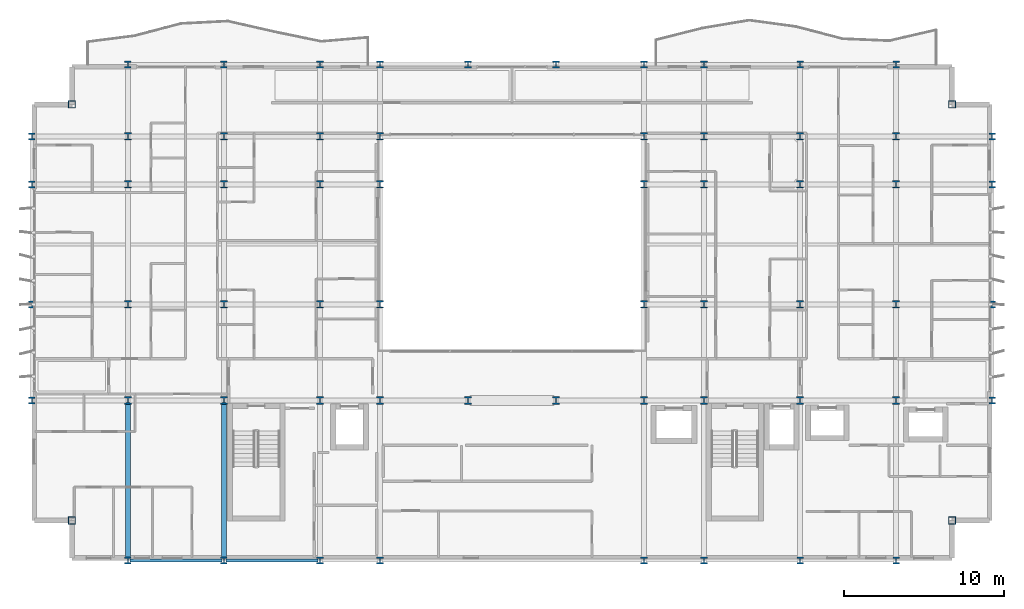
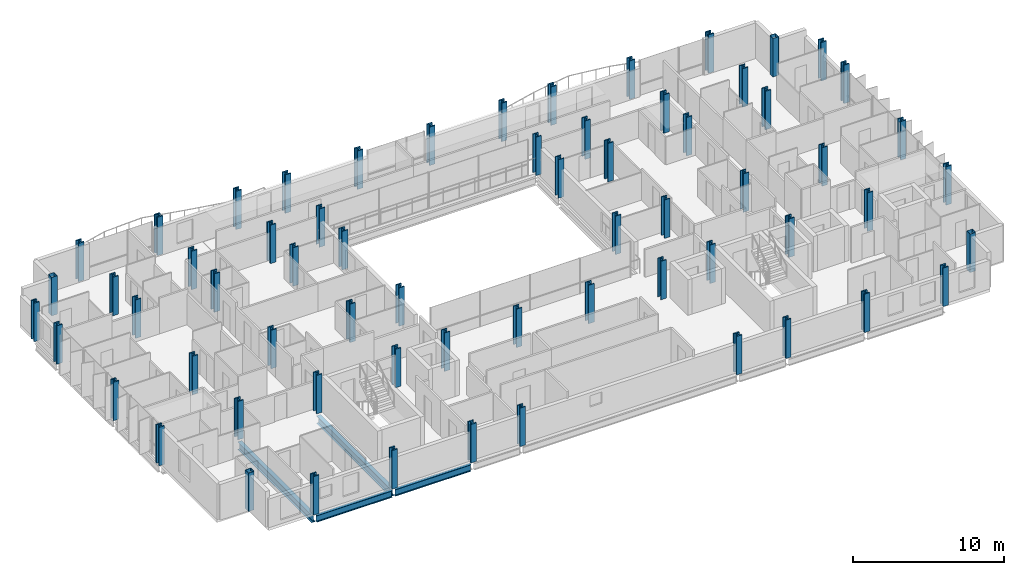
# One storey, part 1 of 39: 64 columns, 4 beams.
"""IFC4 building model written with IfcOpenShell, lengths in metres."""

import ifcopenshell
import ifcopenshell.guid

model = None  # the IFC model being written
_history = None  # IfcOwnerHistory: only IFC2X3 demands one
_inside = {}  # id of a spatial element -> (the spatial element, [elements in it])
_under = {}  # id of a project, library or spatial element -> (it, [spatial elements below it])
_declared = {}  # id of a project -> (the project, [libraries it declares])
_typed = {}  # id of a type object -> (the type object, [elements of that type])
_made_of = {}  # id of a material, layer set ... -> (it, [elements and type objects made of it])


def new_model(schema):
    """Start an empty IFC model of exactly this schema.

    Asked for "IFC4X3", IfcOpenShell would pick the latest addendum, in which some entities
    have other attributes; the version numbers below select the first issue.
    IFC2X3 requires an IfcOwnerHistory on every rooted entity: one is made here for all.
    """
    global model, _history
    if schema == "IFC4X3":
        model = ifcopenshell.file(schema_version=(4, 3, 0, 0))
    else:
        model = ifcopenshell.file(schema=schema)
    _inside.clear()
    _under.clear()
    _declared.clear()
    _typed.clear()
    _made_of.clear()
    _history = None
    if model.schema == "IFC2X3":
        org = make("IfcOrganization", Name="unknown")
        user = make(
            "IfcPersonAndOrganization",
            ThePerson=make("IfcPerson", FamilyName="unknown"),
            TheOrganization=org,
        )
        app = make(
            "IfcApplication",
            ApplicationDeveloper=org,
            Version="unknown",
            ApplicationFullName="unknown",
            ApplicationIdentifier="unknown",
        )
        _history = make(
            "IfcOwnerHistory",
            OwningUser=user,
            OwningApplication=app,
            ChangeAction="ADDED",
            CreationDate=0,
        )
    return model


def make(cls, **values):
    """One entity of the class cls with the attributes given. An attribute that is None is left unset."""
    return model.create_entity(
        cls, **{name: value for name, value in values.items() if value is not None}
    )


def rooted(cls, **values):
    """An entity with a GlobalId (a new one), such as an element, a storey or a relation."""
    return make(cls, GlobalId=ifcopenshell.guid.new(), OwnerHistory=_history, **values)


def si_unit(unit_type, name, prefix=None):
    """IfcSIUnit, for example si_unit("LENGTHUNIT", "METRE", prefix="MILLI")."""
    return make("IfcSIUnit", UnitType=unit_type, Prefix=prefix, Name=name)


def assignment(units):
    """IfcUnitAssignment: the units of a project."""
    return None if units is None else make("IfcUnitAssignment", Units=units)


def point(xyz):
    """IfcCartesianPoint."""
    return None if xyz is None else make("IfcCartesianPoint", Coordinates=xyz)


def direction(xyz):
    """IfcDirection."""
    return None if xyz is None else make("IfcDirection", DirectionRatios=xyz)


def frame(location, z_axis=None, x_axis=None):
    """IfcAxis2Placement3D, a coordinate frame: its origin and axes. An axis left out is left unset."""
    return make(
        "IfcAxis2Placement3D",
        Location=point(location),
        Axis=direction(z_axis),
        RefDirection=direction(x_axis),
    )


def frame_2d(location, x_axis=None):
    """IfcAxis2Placement2D, a coordinate frame in the plane: its origin and x axis."""
    return make(
        "IfcAxis2Placement2D", Location=point(location), RefDirection=direction(x_axis)
    )


def origin():
    """The frame at (0, 0, 0) with its axes left unset."""
    return frame((0.0, 0.0, 0.0))


def origin_2d():
    """The frame at (0, 0) in the plane with its x axis left unset."""
    return frame_2d((0.0, 0.0))


def place(relative_to, where):
    """IfcLocalPlacement: puts the frame where relative to a parent placement (None: the world)."""
    return make(
        "IfcLocalPlacement", PlacementRelTo=relative_to, RelativePlacement=where
    )


def context(
    kind, dimensions, precision=None, world=None, true_north=None, identifier=None
):
    """IfcGeometricRepresentationContext, for example the 3D "Model" context."""
    return make(
        "IfcGeometricRepresentationContext",
        ContextIdentifier=identifier,
        ContextType=kind,
        CoordinateSpaceDimension=dimensions,
        Precision=precision,
        WorldCoordinateSystem=world,
        TrueNorth=true_north,
    )


def subcontext(parent, identifier, kind, view, scale=None):
    """IfcGeometricRepresentationSubContext, for example "Body" below "Model"."""
    return make(
        "IfcGeometricRepresentationSubContext",
        ContextIdentifier=identifier,
        ContextType=kind,
        ParentContext=parent,
        TargetScale=scale,
        TargetView=view,
    )


def project(units=None, contexts=None):
    """IfcProject with its units and contexts."""
    return rooted(
        "IfcProject",
        Name="project",
        RepresentationContexts=contexts,
        UnitsInContext=assignment(units),
    )


def spatial(cls, under=None, at=None, **own):
    """A site, building, storey or space (cls), placed at a placement, below another one or the project."""
    s = rooted(cls, ObjectPlacement=at, **own)
    if under is not None:
        _under.setdefault(under.id(), (under, []))[1].append(s)
    return s


def profile(cls, at=None, kind="AREA", **sizes):
    """A parametric profile (cls). Its sizes go by their IFC names, for example OverallWidth=200.0."""
    return make(cls, ProfileType=kind, Position=at, **sizes)


def hollow_rectangle(**sizes):
    """IfcRectangleHollowProfileDef."""
    return profile("IfcRectangleHollowProfileDef", **sizes)


def i_section(**sizes):
    """IfcIShapeProfileDef."""
    return profile("IfcIShapeProfileDef", **sizes)


def extrude(swept, where, along, depth):
    """IfcExtrudedAreaSolid: the profile swept, set in the frame where, extruded along a direction by depth."""
    return make(
        "IfcExtrudedAreaSolid",
        SweptArea=swept,
        Position=where,
        ExtrudedDirection=direction(along),
        Depth=depth,
    )


def shape(context_of_items, identifier, shape_type, items):
    """IfcShapeRepresentation: the items that make up one representation, for example the "Body"."""
    return make(
        "IfcShapeRepresentation",
        ContextOfItems=context_of_items,
        RepresentationIdentifier=identifier,
        RepresentationType=shape_type,
        Items=items,
    )


def material(Name=None, Category=None):
    """IfcMaterial."""
    return make("IfcMaterial", Name=Name, Category=Category)


def material_profile(
    of_material, cross_section, Name=None, Category=None, Priority=None
):
    """IfcMaterialProfile: a cross section and its material."""
    return make(
        "IfcMaterialProfile",
        Name=Name,
        Material=of_material,
        Profile=cross_section,
        Priority=Priority,
        Category=Category,
    )


def profile_set(profiles, Name=None, composite=None):
    """IfcMaterialProfileSet."""
    return make(
        "IfcMaterialProfileSet",
        Name=Name,
        MaterialProfiles=profiles,
        CompositeProfile=composite,
    )


def made_of(thing, what):
    """Note that an element or type object is made of a material, layer set ...; save() writes the relation."""
    if what is not None:
        _made_of.setdefault(what.id(), (what, []))[1].append(thing)
    return thing


def type_object(cls, material=None, **own):
    """A type object (cls), such as IfcWallType, which elements share."""
    return made_of(rooted(cls, **own), material)


def element(
    cls,
    number,
    at=None,
    inside=None,
    cuts=None,
    type_object=None,
    material=None,
    context=None,
    identifier="Body",
    shape_type=None,
    held_by="IfcProductDefinitionShape",
    body=None,
    shapes=None,
    **own,
):
    """One element of the class cls, such as IfcWall. Its Tag is "e" and its number.

    at: its placement. inside: the storey or other place that contains it. cuts: it is an
    opening in that element (IfcRelVoidsElement). A single representation is given by context,
    identifier, shape_type and body (its items); several are given by shapes. held_by: the class
    of the entity that holds the representations. save() writes the other relations.
    """
    e = rooted(cls, Tag="e%d" % number, ObjectPlacement=at, **own)
    if body is not None:
        shapes = [shape(context, identifier, shape_type, body)]
    if shapes is not None:
        e.Representation = make(held_by, Representations=shapes)
    if inside is not None:
        _inside.setdefault(inside.id(), (inside, []))[1].append(e)
    if cuts is not None:
        rooted(
            "IfcRelVoidsElement", RelatingBuildingElement=cuts, RelatedOpeningElement=e
        )
    if type_object is not None:
        _typed.setdefault(type_object.id(), (type_object, []))[1].append(e)
    return made_of(e, material)


def aggregate(whole, parts):
    """IfcRelAggregates: a whole, such as a stair, and the parts it consists of."""
    return rooted("IfcRelAggregates", RelatingObject=whole, RelatedObjects=parts)


def save(model, path):
    """Write the relations noted so far, then the file.

    IfcRelAggregates (storeys below a building ...), IfcRelContainedInSpatialStructure (elements
    in a storey), IfcRelDefinesByType, IfcRelAssociatesMaterial and IfcRelDeclares: one each for
    every whole, place, type object, material and project.
    """
    for whole, parts in _under.values():
        aggregate(whole, parts)
    for where, things in _inside.values():
        rooted(
            "IfcRelContainedInSpatialStructure",
            RelatedElements=things,
            RelatingStructure=where,
        )
    for kind, things in _typed.values():
        rooted("IfcRelDefinesByType", RelatedObjects=things, RelatingType=kind)
    for what, things in _made_of.values():
        rooted("IfcRelAssociatesMaterial", RelatedObjects=things, RelatingMaterial=what)
    for by, libraries in _declared.values():
        rooted("IfcRelDeclares", RelatingContext=by, RelatedDefinitions=libraries)
    model.write(path)


model = new_model("IFC4")

# Units and contexts
model_context = context("Model", 3, precision=1e-05, world=origin(), true_north=direction((0.0, 1.0)))
body_context = subcontext(model_context, "Body", "Model", "MODEL_VIEW")
ifc_project = project(units=[si_unit("LENGTHUNIT", "METRE"), si_unit("AREAUNIT", "SQUARE_METRE"), si_unit("VOLUMEUNIT", "CUBIC_METRE"), si_unit("PLANEANGLEUNIT", "RADIAN"), si_unit("MASSUNIT", "GRAM", prefix="KILO")], contexts=[model_context])

# Site, building, storey
site_placement = place(None, origin())
site = spatial("IfcSite", under=ifc_project, at=site_placement, CompositionType="ELEMENT")
building_placement = place(site_placement, origin())
building = spatial("IfcBuilding", under=site, at=building_placement, Name="Brevholm Reach", CompositionType="ELEMENT")
storey_placement = place(building_placement, frame((0.0, 0.0, 40.39990234375)))
storey = spatial("IfcBuildingStorey", under=building, at=storey_placement, Name="L10", CompositionType="ELEMENT", Elevation=40.39990234375)

# Columns
ifc_material_1 = material(Name="Structural Steel S460ML", Category="steel")
ifc_material_profile_1 = material_profile(ifc_material_1, i_section(OverallWidth=0.4140625, OverallDepth=0.444091796875, WebThickness=0.060546875, FlangeThickness=0.096923828125, FilletRadius=0.014892578125, at=origin_2d()), Name="HD 400x818")
ifc_profile_set_1 = profile_set([ifc_material_profile_1], Name="Structural Steel S460ML")
column_type_1 = type_object("IfcColumnType", Name="COL-HD2", PredefinedType="COLUMN", material=ifc_profile_set_1)
for number, where, z_axis, x_axis, name in (
    (1, (0.0, 10.0, 0.0), (0.0, 0.0, 1.0), (1.0, 0.0, 0.0), "L10 Column 01"),
    (2, (0.0, 16.0, 0.0), (0.0, 0.0, 1.0), (1.0, 0.0, 0.0), "L10 Column 02"),
    (3, (0.0, 23.5, 0.0), (0.0, 0.0, 1.0), (1.0, 0.0, 0.0), "L10 Column 03"),
    (4, (0.0, 26.5, 0.0), (0.0, 0.0, 1.0), (1.0, 0.0, 0.0), "L10 Column 04"),
    (5, (6.0, 0.0, 0.0), (0.0, 0.0, 1.0), (1.0, 0.0, 0.0), "L10 Column 07"),
    (6, (6.0, 31.0, 0.0), (0.0, 0.0, 1.0), (1.0, 0.0, 0.0), "L10 Column 12"),
    (7, (12.0, 0.0, 0.0), (0.0, 0.0, 1.0), (1.0, 0.0, 0.0), "L10 Column 13"),
    (8, (12.0, 31.0, 0.0), (0.0, 0.0, 1.0), (1.0, 0.0, 0.0), "L10 Column 18"),
    (9, (18.0, 0.0, 0.0), (0.0, 0.0, 1.0), (1.0, 0.0, 0.0), "L10 Column 19"),
    (10, (18.0, 31.0, 0.0), (0.0, 0.0, 1.0), (1.0, 0.0, 0.0), "L10 Column 24"),
    (11, (21.75, 0.0, 0.0), (0.0, 0.0, 1.0), (1.0, 0.0, 0.0), "L10 Column 25"),
    (12, (21.75, 31.0, 0.0), (0.0, 0.0, 1.0), (1.0, 0.0, 0.0), "L10 Column 30"),
    (13, (27.25, 31.0, 0.0), (0.0, 0.0, 1.0), (1.0, 0.0, 0.0), "L10 Column 32"),
    (14, (32.75, 31.0, 0.0), (0.0, 0.0, 1.0), (1.0, 0.0, 0.0), "L10 Column 34"),
    (15, (38.25, 0.0, 0.0), (0.0, 0.0, 1.0), (1.0, 0.0, 0.0), "L10 Column 35"),
    (16, (38.25, 31.0, 0.0), (0.0, 0.0, 1.0), (1.0, 0.0, 0.0), "L10 Column 40"),
    (17, (42.0, 0.0, 0.0), (0.0, 0.0, 1.0), (1.0, 0.0, 0.0), "L10 Column 41"),
    (18, (42.0, 31.0, 0.0), (0.0, 0.0, 1.0), (1.0, 0.0, 0.0), "L10 Column 46"),
    (19, (48.0, 0.0, 0.0), (0.0, 0.0, 1.0), (1.0, 0.0, 0.0), "L10 Column 47"),
    (20, (48.0, 31.0, 0.0), (0.0, 0.0, 1.0), (1.0, 0.0, 0.0), "L10 Column 52"),
    (21, (54.0, 0.0, 0.0), (0.0, 0.0, 1.0), (1.0, 0.0, 0.0), "L10 Column 53"),
    (22, (54.0, 31.0, 0.0), (0.0, 0.0, 1.0), (1.0, 0.0, 0.0), "L10 Column 58"),
    (23, (60.0, 10.0, 0.0), (0.0, 0.0, 1.0), (1.0, 0.0, 0.0), "L10 Column 61"),
    (24, (60.0, 16.0, 0.0), (0.0, 0.0, 1.0), (1.0, 0.0, 0.0), "L10 Column 62"),
    (25, (60.0, 23.5, 0.0), (0.0, 0.0, 1.0), (1.0, 0.0, 0.0), "L10 Column 63"),
    (26, (60.0, 26.5, 0.0), (0.0, 0.0, 1.0), (1.0, 0.0, 0.0), "L10 Column 64"),
):
    element("IfcColumn", number, at=place(storey_placement, frame(where, z_axis=z_axis, x_axis=x_axis)), inside=storey, type_object=column_type_1, Name=name, PredefinedType="COLUMN", context=body_context, shape_type="SweptSolid", body=[
        extrude(i_section(OverallWidth=0.4140625, OverallDepth=0.444091796875, WebThickness=0.060546875, FlangeThickness=0.096923828125, FilletRadius=0.014892578125, at=origin_2d()), origin(), (0.0, 0.0, 1.0), 3.10009765625),
    ])
ifc_material_2 = material(Name="Structural Steel S460NH", Category="steel")
ifc_material_profile_2 = material_profile(ifc_material_2, hollow_rectangle(XDim=0.449951171875, YDim=0.449951171875, WallThickness=0.02490234375, InnerFilletRadius=0.011962890625, OuterFilletRadius=0.02392578125, at=origin_2d()), Name="SHS 450x450x25")
ifc_profile_set_2 = profile_set([ifc_material_profile_2], Name="Structural Steel S460NH")
column_type_2 = type_object("IfcColumnType", Name="COL-SHS1", PredefinedType="COLUMN", material=ifc_profile_set_2)
for number, where, z_axis, x_axis, name in (
    (27, (2.5, 2.5, 0.0), (0.0, 0.0, 1.0), (1.0, 0.0, 0.0), "L10 Column 05"),
    (28, (2.5, 28.5, 0.0), (0.0, 0.0, 1.0), (1.0, 0.0, 0.0), "L10 Column 06"),
    (29, (57.5, 2.5, 0.0), (0.0, 0.0, 1.0), (1.0, 0.0, 0.0), "L10 Column 59"),
    (30, (57.5, 28.5, 0.0), (0.0, 0.0, 1.0), (1.0, 0.0, 0.0), "L10 Column 60"),
):
    element("IfcColumn", number, at=place(storey_placement, frame(where, z_axis=z_axis, x_axis=x_axis)), inside=storey, type_object=column_type_2, Name=name, PredefinedType="COLUMN", context=body_context, shape_type="SweptSolid", body=[
        extrude(hollow_rectangle(XDim=0.449951171875, YDim=0.449951171875, WallThickness=0.02490234375, InnerFilletRadius=0.011962890625, OuterFilletRadius=0.02392578125, at=origin_2d()), origin(), (0.0, 0.0, 1.0), 3.10009765625),
    ])
ifc_material_3 = material(Name="Structural Steel S460ML", Category="steel")
ifc_material_profile_3 = material_profile(ifc_material_3, i_section(OverallWidth=0.424072265625, OverallDepth=0.474609375, WebThickness=0.047607421875, FlangeThickness=0.076904296875, FilletRadius=0.01513671875, at=origin_2d()), Name="UKC 356x406x634")
ifc_profile_set_3 = profile_set([ifc_material_profile_3], Name="Structural Steel S460ML")
column_type_3 = type_object("IfcColumnType", Name="COL-UC1", PredefinedType="COLUMN", material=ifc_profile_set_3)
for number, where, z_axis, x_axis, name in (
    (31, (6.0, 10.0, 0.0), (0.0, 0.0, 1.0), (1.0, 0.0, 0.0), "L10 Column 08"),
    (32, (6.0, 16.0, 0.0), (0.0, 0.0, 1.0), (1.0, 0.0, 0.0), "L10 Column 09"),
    (33, (6.0, 23.5, 0.0), (0.0, 0.0, 1.0), (1.0, 0.0, 0.0), "L10 Column 10"),
    (34, (6.0, 26.5, 0.0), (0.0, 0.0, 1.0), (1.0, 0.0, 0.0), "L10 Column 11"),
    (35, (12.0, 10.0, 0.0), (0.0, 0.0, 1.0), (1.0, 0.0, 0.0), "L10 Column 14"),
    (36, (12.0, 16.0, 0.0), (0.0, 0.0, 1.0), (1.0, 0.0, 0.0), "L10 Column 15"),
    (37, (12.0, 23.5, 0.0), (0.0, 0.0, 1.0), (1.0, 0.0, 0.0), "L10 Column 16"),
    (38, (12.0, 26.5, 0.0), (0.0, 0.0, 1.0), (1.0, 0.0, 0.0), "L10 Column 17"),
    (39, (18.0, 10.0, 0.0), (0.0, 0.0, 1.0), (1.0, 0.0, 0.0), "L10 Column 20"),
    (40, (18.0, 16.0, 0.0), (0.0, 0.0, 1.0), (1.0, 0.0, 0.0), "L10 Column 21"),
    (41, (18.0, 23.5, 0.0), (0.0, 0.0, 1.0), (1.0, 0.0, 0.0), "L10 Column 22"),
    (42, (18.0, 26.5, 0.0), (0.0, 0.0, 1.0), (1.0, 0.0, 0.0), "L10 Column 23"),
    (43, (21.75, 10.0, 0.0), (0.0, 0.0, 1.0), (1.0, 0.0, 0.0), "L10 Column 26"),
    (44, (21.75, 16.0, 0.0), (0.0, 0.0, 1.0), (1.0, 0.0, 0.0), "L10 Column 27"),
    (45, (21.75, 23.5, 0.0), (0.0, 0.0, 1.0), (1.0, 0.0, 0.0), "L10 Column 28"),
    (46, (21.75, 26.5, 0.0), (0.0, 0.0, 1.0), (1.0, 0.0, 0.0), "L10 Column 29"),
    (47, (27.25, 10.0, 0.0), (0.0, 0.0, 1.0), (1.0, 0.0, 0.0), "L10 Column 31"),
    (48, (32.75, 10.0, 0.0), (0.0, 0.0, 1.0), (1.0, 0.0, 0.0), "L10 Column 33"),
    (49, (38.25, 10.0, 0.0), (0.0, 0.0, 1.0), (1.0, 0.0, 0.0), "L10 Column 36"),
    (50, (38.25, 16.0, 0.0), (0.0, 0.0, 1.0), (1.0, 0.0, 0.0), "L10 Column 37"),
    (51, (38.25, 23.5, 0.0), (0.0, 0.0, 1.0), (1.0, 0.0, 0.0), "L10 Column 38"),
    (52, (38.25, 26.5, 0.0), (0.0, 0.0, 1.0), (1.0, 0.0, 0.0), "L10 Column 39"),
    (53, (42.0, 10.0, 0.0), (0.0, 0.0, 1.0), (1.0, 0.0, 0.0), "L10 Column 42"),
    (54, (42.0, 16.0, 0.0), (0.0, 0.0, 1.0), (1.0, 0.0, 0.0), "L10 Column 43"),
    (55, (42.0, 23.5, 0.0), (0.0, 0.0, 1.0), (1.0, 0.0, 0.0), "L10 Column 44"),
    (56, (42.0, 26.5, 0.0), (0.0, 0.0, 1.0), (1.0, 0.0, 0.0), "L10 Column 45"),
    (57, (48.0, 10.0, 0.0), (0.0, 0.0, 1.0), (1.0, 0.0, 0.0), "L10 Column 48"),
    (58, (48.0, 16.0, 0.0), (0.0, 0.0, 1.0), (1.0, 0.0, 0.0), "L10 Column 49"),
    (59, (48.0, 23.5, 0.0), (0.0, 0.0, 1.0), (1.0, 0.0, 0.0), "L10 Column 50"),
    (60, (48.0, 26.5, 0.0), (0.0, 0.0, 1.0), (1.0, 0.0, 0.0), "L10 Column 51"),
    (61, (54.0, 10.0, 0.0), (0.0, 0.0, 1.0), (1.0, 0.0, 0.0), "L10 Column 54"),
    (62, (54.0, 16.0, 0.0), (0.0, 0.0, 1.0), (1.0, 0.0, 0.0), "L10 Column 55"),
    (63, (54.0, 23.5, 0.0), (0.0, 0.0, 1.0), (1.0, 0.0, 0.0), "L10 Column 56"),
    (64, (54.0, 26.5, 0.0), (0.0, 0.0, 1.0), (1.0, 0.0, 0.0), "L10 Column 57"),
):
    element("IfcColumn", number, at=place(storey_placement, frame(where, z_axis=z_axis, x_axis=x_axis)), inside=storey, type_object=column_type_3, Name=name, PredefinedType="COLUMN", context=body_context, shape_type="SweptSolid", body=[
        extrude(i_section(OverallWidth=0.424072265625, OverallDepth=0.474609375, WebThickness=0.047607421875, FlangeThickness=0.076904296875, FilletRadius=0.01513671875, at=origin_2d()), origin(), (0.0, 0.0, 1.0), 3.10009765625),
    ])

# Beams
ifc_material_4 = material(Name="Structural Steel S355J2", Category="steel")
ifc_material_profile_4 = material_profile(ifc_material_4, i_section(OverallWidth=0.210693359375, OverallDepth=0.53955078125, WebThickness=0.01171875, FlangeThickness=0.018798828125, FilletRadius=0.0126953125, at=origin_2d()), Name="UKB 533x210x109")
ifc_profile_set_4 = profile_set([ifc_material_profile_4], Name="Structural Steel S355J2")
beam_type_1 = type_object("IfcBeamType", Name="BM-SP539", PredefinedType="SPANDREL", material=ifc_profile_set_4)
for number, where, z_axis, x_axis, name in (
    (65, (6.1201171875, 0.0, -0.499755859375), (1.0, 0.0, 0.0), (0.0, 1.0, 0.0), "L10 SP-01B Framing Beam"),
    (66, (12.1201171875, 0.0, -0.499755859375), (1.0, 0.0, 0.0), (0.0, 1.0, 0.0), "L10 SP-01B Framing Beam"),
):
    element("IfcBeam", number, at=place(storey_placement, frame(where, z_axis=z_axis, x_axis=x_axis)), inside=storey, type_object=beam_type_1, Name=name, PredefinedType="SPANDREL", context=body_context, shape_type="SweptSolid", body=[
        extrude(i_section(OverallWidth=0.210693359375, OverallDepth=0.53955078125, WebThickness=0.01171875, FlangeThickness=0.018798828125, FilletRadius=0.0126953125, at=origin_2d()), origin(), (0.0, 0.0, 1.0), 5.759765625),
    ])
ifc_material_5 = material(Name="Structural Steel S355J2", Category="steel")
ifc_material_profile_5 = material_profile(ifc_material_5, i_section(OverallWidth=0.30712890625, OverallDepth=0.6201171875, WebThickness=0.01416015625, FlangeThickness=0.023681640625, FilletRadius=0.0166015625, at=origin_2d()), Name="UKB 610x305x179")
ifc_profile_set_5 = profile_set([ifc_material_profile_5], Name="Structural Steel S355J2")
beam_type_2 = type_object("IfcBeamType", Name="BM-UKB610H", PredefinedType="USERDEFINED", material=ifc_profile_set_5)
for number, where, z_axis, x_axis, name in (
    (67, (6.0, 0.1201171875, -0.5400390625), (0.0, 1.0, 0.0), (-1.0, 0.0, 0.0), "L10 G-06 Framing Beam"),
    (68, (12.0, 0.1201171875, -0.5400390625), (0.0, 1.0, 0.0), (-1.0, 0.0, 0.0), "L10 G-06 Framing Beam"),
):
    element("IfcBeam", number, at=place(storey_placement, frame(where, z_axis=z_axis, x_axis=x_axis)), inside=storey, type_object=beam_type_2, Name=name, ObjectType="GIRDER", PredefinedType="USERDEFINED", context=body_context, shape_type="SweptSolid", body=[
        extrude(i_section(OverallWidth=0.30712890625, OverallDepth=0.6201171875, WebThickness=0.01416015625, FlangeThickness=0.023681640625, FilletRadius=0.0166015625, at=origin_2d()), origin(), (0.0, 0.0, 1.0), 9.759765625),
    ])

save(model, "model.ifc")
